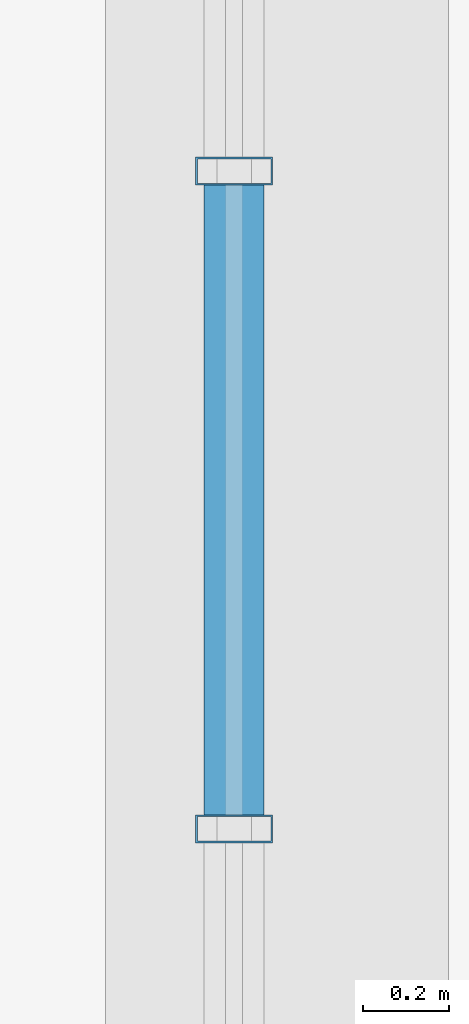
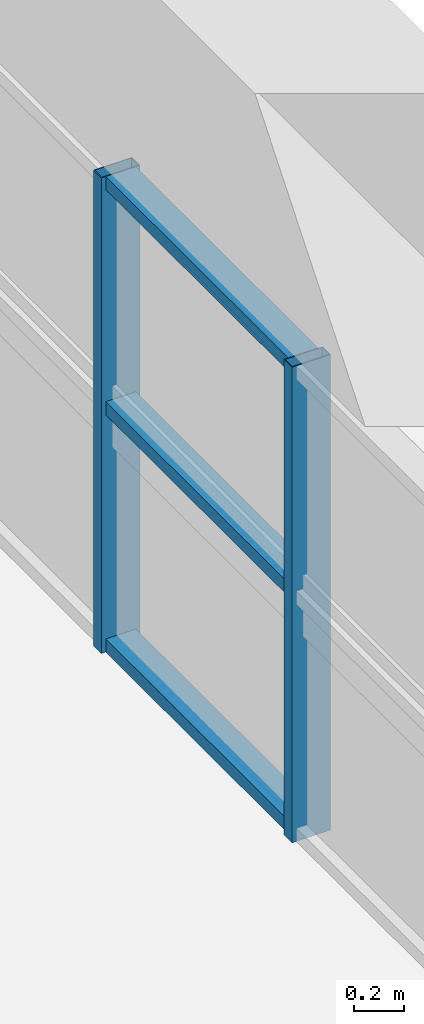
# One storey, part 12 of 25: 5 members, 1 element without a shape of its own.
"""IFC4 building model written with IfcOpenShell, lengths in metres."""

from ifc_helpers import new_model, si_unit, direction, frame, origin, origin_2d, place, context, subcontext, project, spatial, hollow_rectangle, extrude, source, transform, mapped, material, layer, layer_set, material_profile, profile_set, type_object, element, aggregate, save


model = new_model("IFC4")

# Units and contexts
model_context = context("Model", 3, precision=1e-05, world=origin(), true_north=direction((0.0, 1.0)))
body_context = subcontext(model_context, "Body", "Model", "MODEL_VIEW")
ifc_project = project(units=[si_unit("LENGTHUNIT", "METRE"), si_unit("AREAUNIT", "SQUARE_METRE"), si_unit("VOLUMEUNIT", "CUBIC_METRE"), si_unit("PLANEANGLEUNIT", "RADIAN"), si_unit("MASSUNIT", "GRAM", prefix="KILO")], contexts=[model_context])

# Site, building, storey
site_placement = place(None, origin())
site = spatial("IfcSite", under=ifc_project, at=site_placement, CompositionType="ELEMENT")
building_placement = place(site_placement, origin())
building = spatial("IfcBuilding", under=site, at=building_placement, Name="Saelheon Loggia Tower", CompositionType="ELEMENT")
storey_placement = place(building_placement, frame((0.0, 0.0, 206.5)))
storey = spatial("IfcBuildingStorey", under=building, at=storey_placement, Name="L64", CompositionType="ELEMENT", Elevation=206.5)

# Curtain wall, members
ifc_material_1 = material(Name="Anodised Aluminium Acoustic Louvre Curtain Wall", Category="aluminium")
ifc_layer = layer(ifc_material_1, 0.179931640625)
ifc_layer_set = layer_set([ifc_layer], Name="Anodised Aluminium Acoustic Louvre Curtain Wall")
curtain_wall_type = type_object("IfcCurtainWallType", Name="CW_RefugeAcoustic", PredefinedType="NOTDEFINED", material=ifc_layer_set)
curtain_wall_placement = place(storey_placement, origin())
curtain_wall = element("IfcCurtainWall", 1, at=curtain_wall_placement, inside=storey, type_object=curtain_wall_type, Name="L64 E Refuge Acoustic Curtain Wall 2", PredefinedType="NOTDEFINED")
ifc_material_2 = material(Name="Anodised Aluminium 6063-T6", Category="aluminium")
ifc_material_profile_1 = material_profile(ifc_material_2, hollow_rectangle(XDim=0.06494140625, YDim=0.139892578125, WallThickness=0.00390625, at=origin_2d()), Name="RHS-140x65x4")
ifc_profile_set_1 = profile_set([ifc_material_profile_1], Name="Anodised Aluminium 6063-T6")
member_type_1 = type_object("IfcMemberType", Name="CW_RefugeAcoustic_Transom", PredefinedType="USERDEFINED", material=ifc_profile_set_1)
shared_shape_1 = source(origin(), body_context, "Body", "SweptSolid", [
    extrude(hollow_rectangle(XDim=0.06494140625, YDim=0.139892578125, WallThickness=0.00390625, at=origin_2d()), origin(), (0.0, 0.0, 1.0), 1.47119140625),
])
member_1_placement = place(storey_placement, frame((56.39990234375, 24.72802734375, 0.032470703125), z_axis=(0.0, 1.0, 0.0), x_axis=(0.0, 0.0, 1.0)))
member_1 = element("IfcMember", 2, at=member_1_placement, type_object=member_type_1, Name="CW5 transom 5.1", ObjectType="TRANSOM", PredefinedType="USERDEFINED", context=body_context, shape_type="MappedRepresentation", body=[
    mapped(shared_shape_1, transform((0.0, 0.0, 0.0), scale=1.0)),
])
member_2_placement = place(storey_placement, frame((56.39990234375, 24.72802734375, 1.199951171875), z_axis=(0.0, 1.0, 0.0), x_axis=(0.0, 0.0, 1.0)))
member_2 = element("IfcMember", 3, at=member_2_placement, type_object=member_type_1, Name="CW5 transom 5.2", ObjectType="TRANSOM", PredefinedType="USERDEFINED", context=body_context, shape_type="MappedRepresentation", body=[
    mapped(shared_shape_1, transform((0.0, 0.0, 0.0), scale=1.0)),
])
member_3_placement = place(storey_placement, frame((56.39990234375, 24.72802734375, 2.3076171875), z_axis=(0.0, 1.0, 0.0), x_axis=(0.0, 0.0, 1.0)))
member_3 = element("IfcMember", 4, at=member_3_placement, type_object=member_type_1, Name="CW5 transom 5.3", ObjectType="TRANSOM", PredefinedType="USERDEFINED", context=body_context, shape_type="MappedRepresentation", body=[
    mapped(shared_shape_1, transform((0.0, 0.0, 0.0), scale=1.0)),
])
ifc_material_profile_2 = material_profile(ifc_material_2, hollow_rectangle(XDim=0.06494140625, YDim=0.179931640625, WallThickness=0.00390625, at=origin_2d()), Name="RHS-180x65x4")
ifc_profile_set_2 = profile_set([ifc_material_profile_2], Name="Anodised Aluminium 6063-T6")
member_type_2 = type_object("IfcMemberType", Name="CW_RefugeAcoustic_Mullion", PredefinedType="MULLION", material=ifc_profile_set_2)
shared_shape_2 = source(origin(), body_context, "Body", "SweptSolid", [
    extrude(hollow_rectangle(XDim=0.06494140625, YDim=0.179931640625, WallThickness=0.00390625, at=origin_2d()), origin(), (0.0, 0.0, 1.0), 2.340087890625),
])
member_4_placement = place(storey_placement, frame((56.39990234375, 24.695556640625, 0.0), z_axis=(0.0, 0.0, 1.0), x_axis=(0.0, 1.0, 0.0)))
member_4 = element("IfcMember", 5, at=member_4_placement, type_object=member_type_2, Name="CW5 mullion 5", PredefinedType="MULLION", context=body_context, shape_type="MappedRepresentation", body=[
    mapped(shared_shape_2, transform((0.0, 0.0, 0.0), scale=1.0)),
])
member_5_placement = place(storey_placement, frame((56.39990234375, 26.23193359375, 0.0), z_axis=(0.0, 0.0, 1.0), x_axis=(0.0, 1.0, 0.0)))
member_5 = element("IfcMember", 6, at=member_5_placement, type_object=member_type_2, Name="CW5 mullion 6", PredefinedType="MULLION", context=body_context, shape_type="MappedRepresentation", body=[
    mapped(shared_shape_2, transform((0.0, 0.0, 0.0), scale=1.0)),
])
aggregate(curtain_wall, [member_4, member_5, member_1, member_2, member_3])

save(model, "model.ifc")
